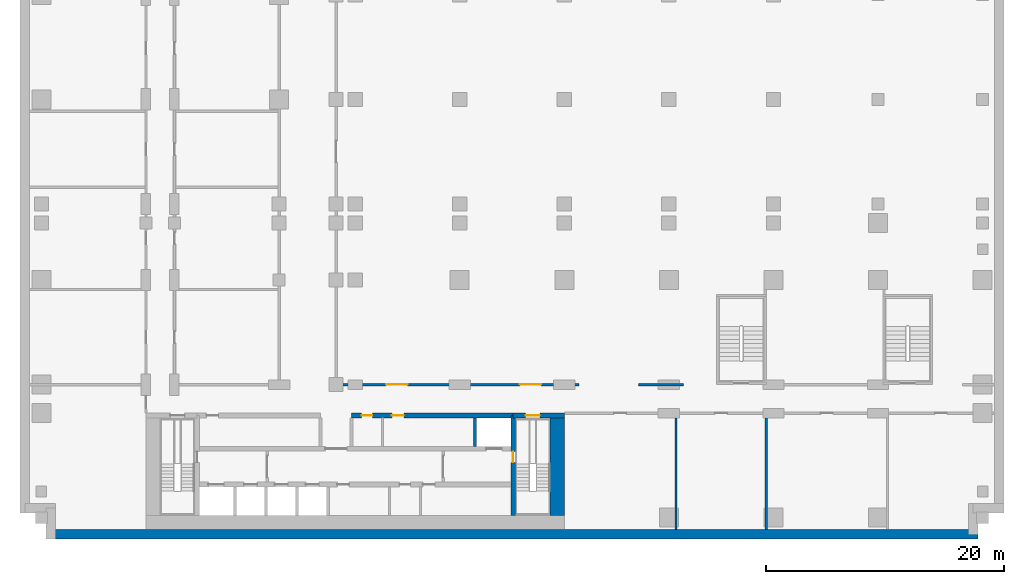
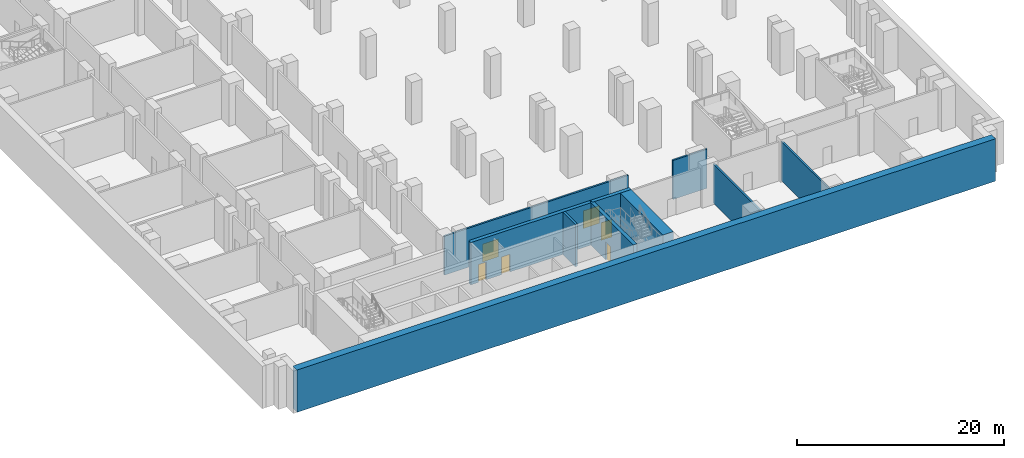
# One storey, part 3 of 12: 10 walls, 6 doors, 6 openings.
"""IFC4 building model written with IfcOpenShell, lengths in metres."""

from ifc_helpers import new_model, si_unit, direction, frame, frame_2d, origin, place, context, subcontext, project, spatial, rectangle, extrude, material, layer, layer_set, type_object, element, fill, save


model = new_model("IFC4")

# Units and contexts
model_context = context("Model", 3, precision=1e-05, world=origin(), true_north=direction((0.0, 1.0)))
body_context = subcontext(model_context, "Body", "Model", "MODEL_VIEW")
ifc_project = project(units=[si_unit("LENGTHUNIT", "METRE"), si_unit("AREAUNIT", "SQUARE_METRE"), si_unit("VOLUMEUNIT", "CUBIC_METRE"), si_unit("PLANEANGLEUNIT", "RADIAN"), si_unit("MASSUNIT", "GRAM", prefix="KILO")], contexts=[model_context])

# Site, building, storey
site_placement = place(None, origin())
site = spatial("IfcSite", under=ifc_project, at=site_placement, CompositionType="ELEMENT")
building_placement = place(site_placement, origin())
building = spatial("IfcBuilding", under=site, at=building_placement, Name="Kemantara Hotel Tower", CompositionType="ELEMENT")
storey_placement = place(building_placement, frame((0.0, 0.0, -12.0)))
storey = spatial("IfcBuildingStorey", under=building, at=storey_placement, Name="B2", CompositionType="ELEMENT", Elevation=-12.0)

# Walls
ifc_material_1 = material(Name="Concrete fc 40 MPa", Category="concrete")
ifc_layer_1 = layer(ifc_material_1, 0.800048828125)
ifc_layer_set_1 = layer_set([ifc_layer_1], Name="Concrete fc 40 MPa")
wall_type_1 = type_object("IfcWallType", Name="BASEMENT PERIMETER WALL 800 FC40", PredefinedType="SHEAR", material=ifc_layer_set_1)
wall_1_placement = place(storey_placement, frame((79.800048828125, -0.39990234375, 0.0), z_axis=(0.0, 0.0, 1.0), x_axis=(-1.0, 0.0, 0.0)))
element("IfcWall", 1, at=wall_1_placement, inside=storey, type_object=wall_type_1, Name="BASEMENT PERIMETER WALL B2 4", PredefinedType="SHEAR", context=body_context, shape_type="SweptSolid", body=[
    extrude(rectangle(XDim=78.0, YDim=0.800048828125, at=frame_2d((39.0, 0.0))), origin(), (0.0, 0.0, 1.0), 5.0),
])
ifc_material_2 = material(Name="Concrete fc 70 MPa", Category="concrete")
ifc_layer_2 = layer(ifc_material_2, 1.199951171875)
ifc_layer_set_2 = layer_set([ifc_layer_2], Name="Concrete fc 70 MPa")
wall_type_2 = type_object("IfcWallType", Name="CORE WALL 1200 FC70", PredefinedType="SHEAR", material=ifc_layer_set_2)
wall_2_placement = place(storey_placement, frame((44.39990234375, 1.199951171875, 0.0), z_axis=(0.0, 0.0, 1.0), x_axis=(0.0, 1.0, 0.0)))
element("IfcWall", 2, at=wall_2_placement, inside=storey, type_object=wall_type_2, Name="CORE WALL CW-E", PredefinedType="SHEAR", context=body_context, shape_type="SweptSolid", body=[
    extrude(rectangle(XDim=8.60009765625, YDim=1.199951171875, at=frame_2d((4.300048828125, 0.0))), origin(), (0.0, 0.0, 1.0), 5.0),
])
ifc_layer_3 = layer(ifc_material_2, 0.25)
ifc_layer_set_3 = layer_set([ifc_layer_3], Name="Concrete fc 70 MPa")
wall_type_3 = type_object("IfcWallType", Name="CORE WALL 250 FC70", PredefinedType="SHEAR", material=ifc_layer_set_3)
wall_3_placement = place(storey_placement, frame((37.5, 7.0, 0.0), z_axis=(0.0, 0.0, 1.0), x_axis=(0.0, 1.0, 0.0)))
element("IfcWall", 3, at=wall_3_placement, inside=storey, type_object=wall_type_3, Name="CORE WALL CW-DN37.5", PredefinedType="SHEAR", context=body_context, shape_type="SweptSolid", body=[
    extrude(rectangle(XDim=2.39990234375, YDim=0.25, at=frame_2d((1.199951171875, 0.0))), origin(), (0.0, 0.0, 1.0), 5.0),
])

# Wall, opening, door
ifc_layer_4 = layer(ifc_material_2, 0.39990234375)
ifc_layer_set_4 = layer_set([ifc_layer_4], Name="Concrete fc 70 MPa")
wall_type_4 = type_object("IfcWallType", Name="CORE WALL 400 FC70", PredefinedType="SHEAR", material=ifc_layer_set_4)
wall_4_placement = place(storey_placement, frame((40.699951171875, 9.60009765625, 0.0), z_axis=(0.0, 0.0, 1.0), x_axis=(1.0, 0.0, 0.0)))
wall_4 = element("IfcWall", 4, at=wall_4_placement, inside=storey, type_object=wall_type_4, Name="CORE WALL CW-N2", PredefinedType="SHEAR", context=body_context, shape_type="SweptSolid", body=[
    extrude(rectangle(XDim=4.300048828125, YDim=0.39990234375, at=frame_2d((2.14990234375, 0.0))), origin(), (0.0, 0.0, 1.0), 5.0),
])
opening_1_placement = place(wall_4_placement, frame((1.050048828125, 0.0, 0.0)))
opening_1 = element("IfcOpeningElement", 5, at=opening_1_placement, cuts=wall_4, Name="Opening C01-ST2-C", PredefinedType="OPENING", context=body_context, shape_type="SweptSolid", body=[
    extrude(rectangle(XDim=1.199951171875, YDim=2.10009765625, at=frame_2d((0.60009765625, 1.050048828125))), frame((0.0, 0.2099609375, 0.0), z_axis=(0.0, -1.0, 0.0), x_axis=(1.0, 0.0, 0.0)), (0.0, 0.0, 1.0), 0.419921875),
])
ifc_material_3 = material(Name="Steel fire door", Category="steel")
door_type_1 = type_object("IfcDoorType", Name="Fire door FD90 1200 x 2100", OperationType="NOTDEFINED", PredefinedType="DOOR", material=ifc_material_3)
door_1_placement = place(opening_1_placement, frame((1.199951171875, 0.0, 0.0), z_axis=(0.0, 0.0, 1.0), x_axis=(-1.0, 0.0, 0.0)))
door_1 = element("IfcDoor", 6, at=door_1_placement, inside=storey, type_object=door_type_1, Name="Stair ST2 door to corridor", OperationType="SINGLE_SWING_RIGHT", OverallHeight=2.10009765625, OverallWidth=1.199951171875, PredefinedType="DOOR", context=body_context, shape_type="SweptSolid", body=[
    extrude(rectangle(XDim=1.199951171875, YDim=2.10009765625, at=frame_2d((0.60009765625, 1.050048828125))), frame((0.0, 0.02490234375, 0.0), z_axis=(0.0, -1.0, 0.0), x_axis=(1.0, 0.0, 0.0)), (0.0, 0.0, 1.0), 0.050048828125),
])
fill(opening_1, door_1)

# Wall, openings, doors
wall_5_placement = place(storey_placement, frame((27.10009765625, 9.60009765625, 0.0), z_axis=(0.0, 0.0, 1.0), x_axis=(1.0, 0.0, 0.0)))
wall_5 = element("IfcWall", 7, at=wall_5_placement, inside=storey, type_object=wall_type_4, Name="CORE WALL CW-NN2", PredefinedType="SHEAR", context=body_context, shape_type="SweptSolid", body=[
    extrude(rectangle(XDim=13.599853515625, YDim=0.39990234375, at=frame_2d((6.7998046875, 0.0))), origin(), (0.0, 0.0, 1.0), 5.0),
])
opening_2_placement = place(wall_5_placement, frame((0.85009765625, 0.0, 0.0)))
opening_2 = element("IfcOpeningElement", 8, at=opening_2_placement, cuts=wall_5, Name="Opening C01-R-NE1", PredefinedType="OPENING", context=body_context, shape_type="SweptSolid", body=[
    extrude(rectangle(XDim=0.89990234375, YDim=2.10009765625, at=frame_2d((0.449951171875, 1.050048828125))), frame((0.0, 0.2099609375, 0.0), z_axis=(0.0, -1.0, 0.0), x_axis=(1.0, 0.0, 0.0)), (0.0, 0.0, 1.0), 0.419921875),
])
opening_3_placement = place(wall_5_placement, frame((3.39990234375, 0.0, 0.0)))
opening_3 = element("IfcOpeningElement", 9, at=opening_3_placement, cuts=wall_5, Name="Opening C01-R-NE2", PredefinedType="OPENING", context=body_context, shape_type="SweptSolid", body=[
    extrude(rectangle(XDim=1.0, YDim=2.10009765625, at=frame_2d((0.5, 1.050048828125))), frame((0.0, 0.2099609375, 0.0), z_axis=(0.0, -1.0, 0.0), x_axis=(1.0, 0.0, 0.0)), (0.0, 0.0, 1.0), 0.419921875),
])
door_type_2 = type_object("IfcDoorType", Name="Fire door FD60 1000 x 2100", OperationType="NOTDEFINED", PredefinedType="DOOR", material=ifc_material_3)
door_2_placement = place(opening_3_placement, frame((1.0, 0.0, 0.0), z_axis=(0.0, 0.0, 1.0), x_axis=(-1.0, 0.0, 0.0)))
door_2 = element("IfcDoor", 10, at=door_2_placement, inside=storey, type_object=door_type_2, Name="Water Tank Room door", OperationType="SINGLE_SWING_RIGHT", OverallHeight=2.10009765625, OverallWidth=1.0, PredefinedType="DOOR", context=body_context, shape_type="SweptSolid", body=[
    extrude(rectangle(XDim=1.0, YDim=2.10009765625, at=frame_2d((0.5, 1.050048828125))), frame((0.0, 0.02490234375, 0.0), z_axis=(0.0, -1.0, 0.0), x_axis=(1.0, 0.0, 0.0)), (0.0, 0.0, 1.0), 0.050048828125),
])
fill(opening_3, door_2)
door_type_3 = type_object("IfcDoorType", Name="Fire door FD60 900 x 2100", OperationType="NOTDEFINED", PredefinedType="DOOR", material=ifc_material_3)
door_3_placement = place(opening_2_placement, frame((0.89990234375, 0.0, 0.0), z_axis=(0.0, 0.0, 1.0), x_axis=(-1.0, 0.0, 0.0)))
door_3 = element("IfcDoor", 11, at=door_3_placement, inside=storey, type_object=door_type_3, Name="Comms Equipment Room door", OperationType="SINGLE_SWING_RIGHT", OverallHeight=2.10009765625, OverallWidth=0.89990234375, PredefinedType="DOOR", context=body_context, shape_type="SweptSolid", body=[
    extrude(rectangle(XDim=0.89990234375, YDim=2.10009765625, at=frame_2d((0.449951171875, 1.050048828125))), frame((0.0, 0.02490234375, 0.0), z_axis=(0.0, -1.0, 0.0), x_axis=(1.0, 0.0, 0.0)), (0.0, 0.0, 1.0), 0.050048828125),
])
fill(opening_2, door_3)

# Wall, opening, door
wall_6_placement = place(storey_placement, frame((40.699951171875, 1.199951171875, 0.0), z_axis=(0.0, 0.0, 1.0), x_axis=(0.0, 1.0, 0.0)))
wall_6 = element("IfcWall", 12, at=wall_6_placement, inside=storey, type_object=wall_type_4, Name="CORE WALL CW-ST2W", PredefinedType="SHEAR", context=body_context, shape_type="SweptSolid", body=[
    extrude(rectangle(XDim=8.400146484375, YDim=0.39990234375, at=frame_2d((4.2001953125, 0.0))), origin(), (0.0, 0.0, 1.0), 5.0),
])
opening_4_placement = place(wall_6_placement, frame((4.449951171875, 0.0, 0.0)))
opening_4 = element("IfcOpeningElement", 13, at=opening_4_placement, cuts=wall_6, Name="Opening C01-ST2-F", PredefinedType="OPENING", context=body_context, shape_type="SweptSolid", body=[
    extrude(rectangle(XDim=0.89990234375, YDim=2.10009765625, at=frame_2d((0.449951171875, 1.050048828125))), frame((0.0, 0.2099609375, 0.0), z_axis=(0.0, -1.0, 0.0), x_axis=(1.0, 0.0, 0.0)), (0.0, 0.0, 1.0), 0.419921875),
])
door_type_4 = type_object("IfcDoorType", Name="Fire door FD90 900 x 2100", OperationType="NOTDEFINED", PredefinedType="DOOR", material=ifc_material_3)
door_4_placement = place(opening_4_placement, frame((0.89990234375, 0.0, 0.0), z_axis=(0.0, 0.0, 1.0), x_axis=(-1.0, 0.0, 0.0)))
door_4 = element("IfcDoor", 14, at=door_4_placement, inside=storey, type_object=door_type_4, Name="Stair ST2 door to firefighting lobby", OperationType="SINGLE_SWING_LEFT", OverallHeight=2.10009765625, OverallWidth=0.89990234375, PredefinedType="DOOR", context=body_context, shape_type="SweptSolid", body=[
    extrude(rectangle(XDim=0.89990234375, YDim=2.10009765625, at=frame_2d((0.449951171875, 1.050048828125))), frame((0.0, 0.02490234375, 0.0), z_axis=(0.0, -1.0, 0.0), x_axis=(1.0, 0.0, 0.0)), (0.0, 0.0, 1.0), 0.050048828125),
])
fill(opening_4, door_4)

# Wall, openings, doors
ifc_material_4 = material(Name="Fire-rated gypsum board partition")
ifc_layer_5 = layer(ifc_material_4, 0.199951171875)
ifc_layer_set_5 = layer_set([ifc_layer_5], Name="Fire-rated gypsum board partition")
wall_type_5 = type_object("IfcWallType", Name="FIRE-RATED GYPSUM PARTITION 200 EI 60", PredefinedType="PARTITIONING", material=ifc_layer_set_5)
wall_7_placement = place(storey_placement, frame((25.699951171875, 12.199951171875, 0.0), z_axis=(0.0, 0.0, 1.0), x_axis=(1.0, 0.0, 0.0)))
wall_7 = element("IfcWall", 15, at=wall_7_placement, inside=storey, type_object=wall_type_5, Name="FIRE-RATED PARTITION", PredefinedType="PARTITIONING", context=body_context, shape_type="SweptSolid", body=[
    extrude(rectangle(XDim=20.550048828125, YDim=0.199951171875, at=frame_2d((10.27490234375, 0.0))), origin(), (0.0, 0.0, 1.0), 4.597900390625),
])
opening_5_placement = place(wall_7_placement, frame((4.3125, 0.0, 0.0)))
opening_5 = element("IfcOpeningElement", 16, at=opening_5_placement, cuts=wall_7, Name="Opening B2-B023", PredefinedType="OPENING", context=body_context, shape_type="SweptSolid", body=[
    extrude(rectangle(XDim=1.800048828125, YDim=2.10009765625, at=frame_2d((0.89990234375, 1.050048828125))), frame((0.0, 0.10986328125, 0.0), z_axis=(0.0, -1.0, 0.0), x_axis=(1.0, 0.0, 0.0)), (0.0, 0.0, 1.0), 0.219970703125),
])
opening_6_placement = place(wall_7_placement, frame((15.56005859375, 0.0, 0.0)))
opening_6 = element("IfcOpeningElement", 17, at=opening_6_placement, cuts=wall_7, Name="Opening B2-B024", PredefinedType="OPENING", context=body_context, shape_type="SweptSolid", body=[
    extrude(rectangle(XDim=1.800048828125, YDim=2.10009765625, at=frame_2d((0.89990234375, 1.050048828125))), frame((0.0, 0.10986328125, 0.0), z_axis=(0.0, -1.0, 0.0), x_axis=(1.0, 0.0, 0.0)), (0.0, 0.0, 1.0), 0.219970703125),
])
ifc_material_5 = material(Name="Galvanised steel door leaf", Category="steel")
door_type_5 = type_object("IfcDoorType", Name="FIRE-RATED STEEL DOOR DOUBLE LEAF 1800 X 2100", OperationType="DOUBLE_DOOR_SINGLE_SWING", PredefinedType="DOOR", material=ifc_material_5)
door_5_placement = place(opening_5_placement, origin())
door_5 = element("IfcDoor", 18, at=door_5_placement, inside=storey, type_object=door_type_5, Name="FIRE-RATED STEEL DOOR DOUBLE LEAF", OperationType="DOUBLE_DOOR_SINGLE_SWING", OverallHeight=2.10009765625, OverallWidth=1.800048828125, PredefinedType="DOOR", context=body_context, shape_type="SweptSolid", body=[
    extrude(rectangle(XDim=1.800048828125, YDim=2.10009765625, at=frame_2d((0.89990234375, 1.050048828125))), frame((0.0, 0.02490234375, 0.0), z_axis=(0.0, -1.0, 0.0), x_axis=(1.0, 0.0, 0.0)), (0.0, 0.0, 1.0), 0.050048828125),
])
fill(opening_5, door_5)
door_6_placement = place(opening_6_placement, origin())
door_6 = element("IfcDoor", 19, at=door_6_placement, inside=storey, type_object=door_type_5, Name="FIRE-RATED STEEL DOOR DOUBLE LEAF", OperationType="DOUBLE_DOOR_SINGLE_SWING", OverallHeight=2.10009765625, OverallWidth=1.800048828125, PredefinedType="DOOR", context=body_context, shape_type="SweptSolid", body=[
    extrude(rectangle(XDim=1.800048828125, YDim=2.10009765625, at=frame_2d((0.89990234375, 1.050048828125))), frame((0.0, 0.02490234375, 0.0), z_axis=(0.0, -1.0, 0.0), x_axis=(1.0, 0.0, 0.0)), (0.0, 0.0, 1.0), 0.050048828125),
])
fill(opening_6, door_6)

# Walls
wall_8_placement = place(storey_placement, frame((51.25, 12.199951171875, 0.0), z_axis=(0.0, 0.0, 1.0), x_axis=(1.0, 0.0, 0.0)))
element("IfcWall", 20, at=wall_8_placement, inside=storey, type_object=wall_type_5, Name="FIRE-RATED PARTITION", PredefinedType="PARTITIONING", context=body_context, shape_type="SweptSolid", body=[
    extrude(rectangle(XDim=3.800048828125, YDim=0.199951171875, at=frame_2d((1.89990234375, 0.0))), origin(), (0.0, 0.0, 1.0), 4.597900390625),
])
ifc_material_6 = material(Name="Gypsum board partition")
ifc_layer_6 = layer(ifc_material_6, 0.199951171875)
ifc_layer_set_6 = layer_set([ifc_layer_6], Name="Gypsum board partition")
wall_type_6 = type_object("IfcWallType", Name="GYPSUM BOARD PARTITION 200", PredefinedType="PARTITIONING", material=ifc_layer_set_6)
for number, where, z_axis, x_axis, name in (
    (21, (54.39990234375, 0.0, 0.0), (0.0, 0.0, 1.0), (0.0, 1.0, 0.0), "PARTITION"),
    (22, (62.0, 0.0, 0.0), (0.0, 0.0, 1.0), (0.0, 1.0, 0.0), "PARTITION"),
):
    element("IfcWall", number, at=place(storey_placement, frame(where, z_axis=z_axis, x_axis=x_axis)), inside=storey, type_object=wall_type_6, Name=name, PredefinedType="PARTITIONING", context=body_context, shape_type="SweptSolid", body=[
        extrude(rectangle(XDim=9.699951171875, YDim=0.199951171875, at=frame_2d((4.85009765625, 0.0))), origin(), (0.0, 0.0, 1.0), 4.597900390625),
    ])

save(model, "model.ifc")
